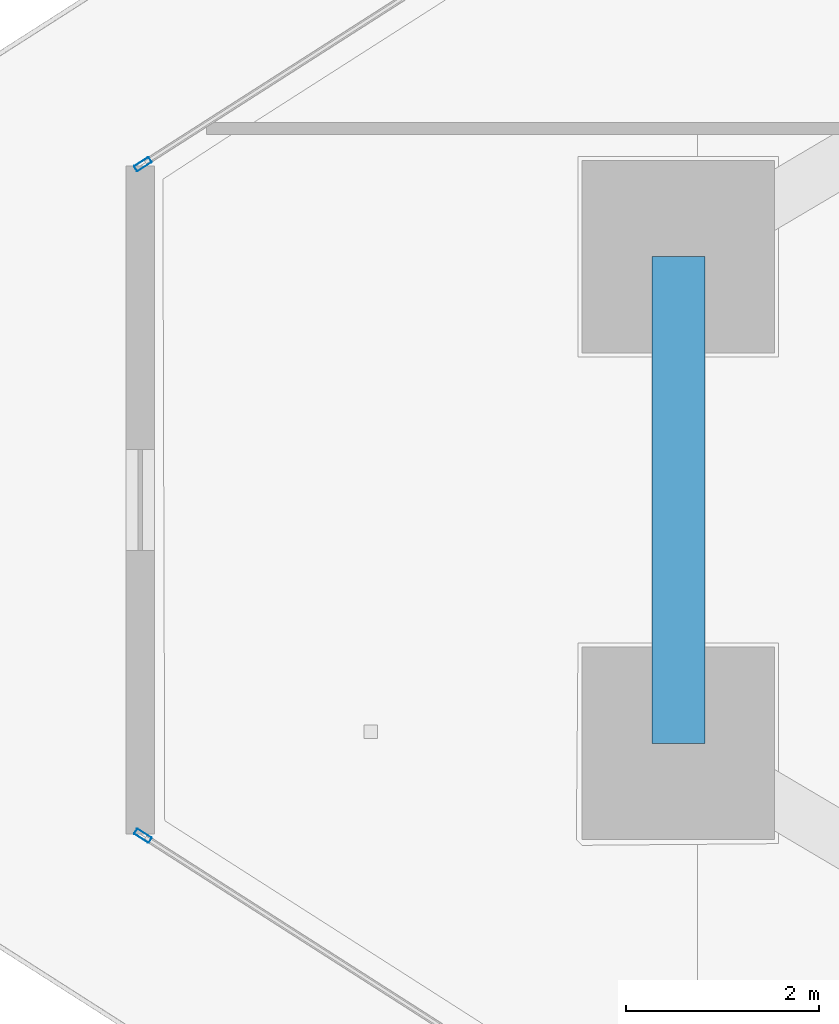
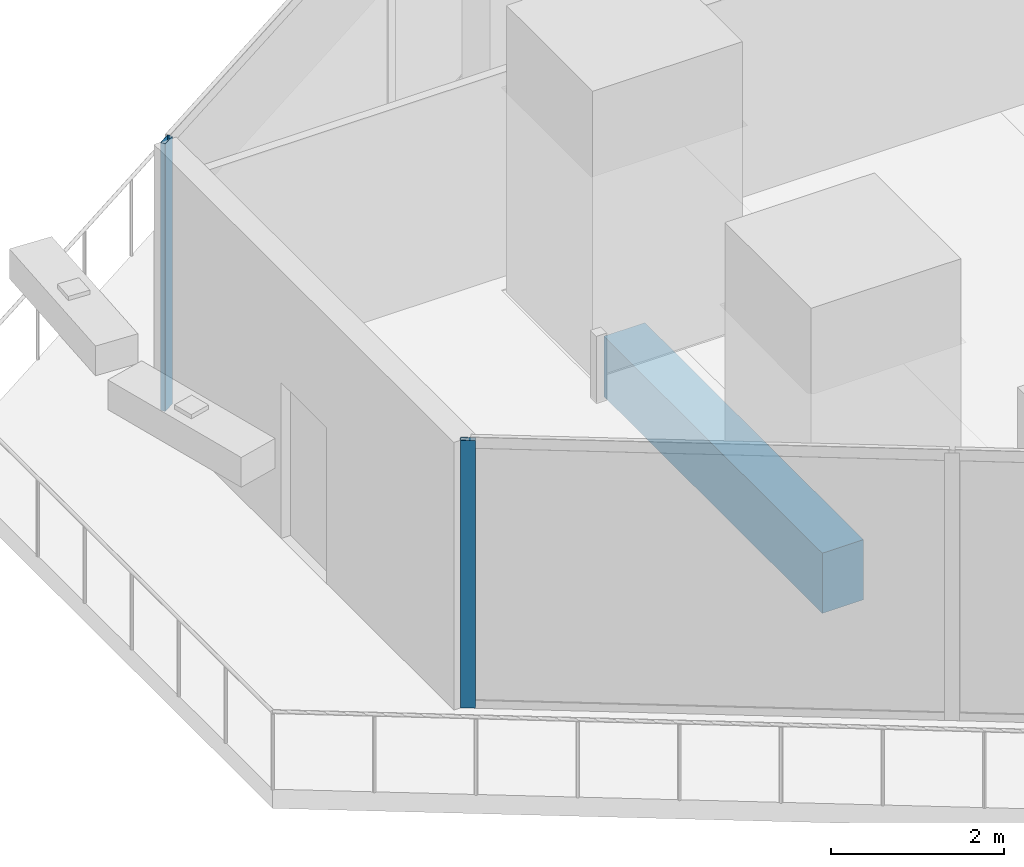
# One storey, part 7 of 37: 2 members, 1 beam, 2 elements without a shape of their own.
"""IFC4 building model written with IfcOpenShell, lengths in metres."""

from ifc_helpers import new_model, si_unit, direction, frame, origin, origin_2d, place, context, subcontext, project, spatial, rectangle, hollow_rectangle, extrude, material, layer, layer_set, material_profile, profile_set, type_object, element, aggregate, save


model = new_model("IFC4")

# Units and contexts
model_context = context("Model", 3, precision=1e-05, world=origin(), true_north=direction((0.0, 1.0)))
body_context = subcontext(model_context, "Body", "Model", "MODEL_VIEW")
ifc_project = project(units=[si_unit("LENGTHUNIT", "METRE"), si_unit("AREAUNIT", "SQUARE_METRE"), si_unit("VOLUMEUNIT", "CUBIC_METRE"), si_unit("PLANEANGLEUNIT", "RADIAN"), si_unit("MASSUNIT", "GRAM", prefix="KILO")], contexts=[model_context])

# Site, building, storey
site_placement = place(None, origin())
site = spatial("IfcSite", under=ifc_project, at=site_placement, CompositionType="ELEMENT")
building_placement = place(site_placement, origin())
building = spatial("IfcBuilding", under=site, at=building_placement, Name="Qorvath Tower", CompositionType="ELEMENT")
storey_placement = place(building_placement, frame((0.0, 0.0, 196.949951171875)))
storey = spatial("IfcBuildingStorey", under=building, at=storey_placement, Name="L45", CompositionType="ELEMENT", Elevation=196.949951171875)

# Beam
ifc_material_1 = material(Name="Concrete C50/60", Category="concrete")
ifc_material_profile_1 = material_profile(ifc_material_1, rectangle(XDim=0.550048828125, YDim=0.85009765625, at=origin_2d()), Name="RCB 850x550")
ifc_profile_set_1 = profile_set([ifc_material_profile_1], Name="Concrete C50/60")
beam_type = type_object("IfcBeamType", Name="BM-RCB2", PredefinedType="SPANDREL", material=ifc_profile_set_1)
beam_placement = place(storey_placement, frame((-49.171875, 2.52783203125, -0.695068359375), z_axis=(0.0, -1.0, 0.0), x_axis=(1.0, 0.0, 0.0)))
element("IfcBeam", 1, at=beam_placement, inside=storey, type_object=beam_type, Name="Perimeter Loggia Frame Beam MC1-MC2 L45", PredefinedType="SPANDREL", context=body_context, shape_type="SweptSolid", body=[
    extrude(rectangle(XDim=0.550048828125, YDim=0.85009765625, at=origin_2d()), origin(), (0.0, 0.0, 1.0), 5.0556640625),
])

# Curtain wall, member
ifc_material_2 = material(Name="Anodised aluminium and triple low-E glass", Category="aluminium")
ifc_layer = layer(ifc_material_2, 0.179931640625)
ifc_layer_set = layer_set([ifc_layer], Name="CW-SYS-3")
curtain_wall_type = type_object("IfcCurtainWallType", Name="CW-SYS-3", PredefinedType="NOTDEFINED", material=ifc_layer_set)
curtain_wall_1_placement = place(storey_placement, origin())
curtain_wall_1 = element("IfcCurtainWall", 2, at=curtain_wall_1_placement, inside=storey, type_object=curtain_wall_type, Name="Curtain Wall CW-3 CW-T-L45-2.1", PredefinedType="NOTDEFINED")
ifc_material_3 = material(Name="Anodised aluminium 6063-T6", Category="aluminium")
ifc_material_profile_2 = material_profile(ifc_material_3, hollow_rectangle(XDim=0.06494140625, YDim=0.179931640625, WallThickness=0.00341796875, InnerFilletRadius=0.00341796875, OuterFilletRadius=0.007080078125, at=origin_2d()), Name="CWM 180x65")
ifc_profile_set_2 = profile_set([ifc_material_profile_2], Name="Anodised aluminium 6063-T6")
member_type = type_object("IfcMemberType", Name="CWM-180", PredefinedType="MULLION", material=ifc_profile_set_2)
member_1_placement = place(storey_placement, frame((-54.7353515625, -3.489013671875, 0.0), z_axis=(0.0, 0.0, 1.0), x_axis=(0.538533623725, 0.842604020948, 0.0)))
member_1 = element("IfcMember", 3, at=member_1_placement, type_object=member_type, Name="CW-3 mullion 1", PredefinedType="MULLION", context=body_context, shape_type="SweptSolid", body=[
    extrude(hollow_rectangle(XDim=0.06494140625, YDim=0.179931640625, WallThickness=0.00341796875, InnerFilletRadius=0.00341796875, OuterFilletRadius=0.007080078125, at=origin_2d()), origin(), (0.0, 0.0, 1.0), 3.780029296875),
])
aggregate(curtain_wall_1, [member_1])

curtain_wall_2_placement = place(storey_placement, origin())
curtain_wall_2 = element("IfcCurtainWall", 4, at=curtain_wall_2_placement, inside=storey, type_object=curtain_wall_type, Name="Curtain Wall CW-3 CW-T-L45-16.1", PredefinedType="NOTDEFINED")
member_2_placement = place(storey_placement, frame((-54.7353515625, 3.489013671875, 0.0), z_axis=(0.0, 0.0, 1.0), x_axis=(0.538533623725, -0.842604020948, 0.0)))
member_2 = element("IfcMember", 5, at=member_2_placement, type_object=member_type, Name="CW-3 mullion 9", PredefinedType="MULLION", context=body_context, shape_type="SweptSolid", body=[
    extrude(hollow_rectangle(XDim=0.06494140625, YDim=0.179931640625, WallThickness=0.00341796875, InnerFilletRadius=0.00341796875, OuterFilletRadius=0.007080078125, at=origin_2d()), origin(), (0.0, 0.0, 1.0), 3.780029296875),
])
aggregate(curtain_wall_2, [member_2])

save(model, "model.ifc")
